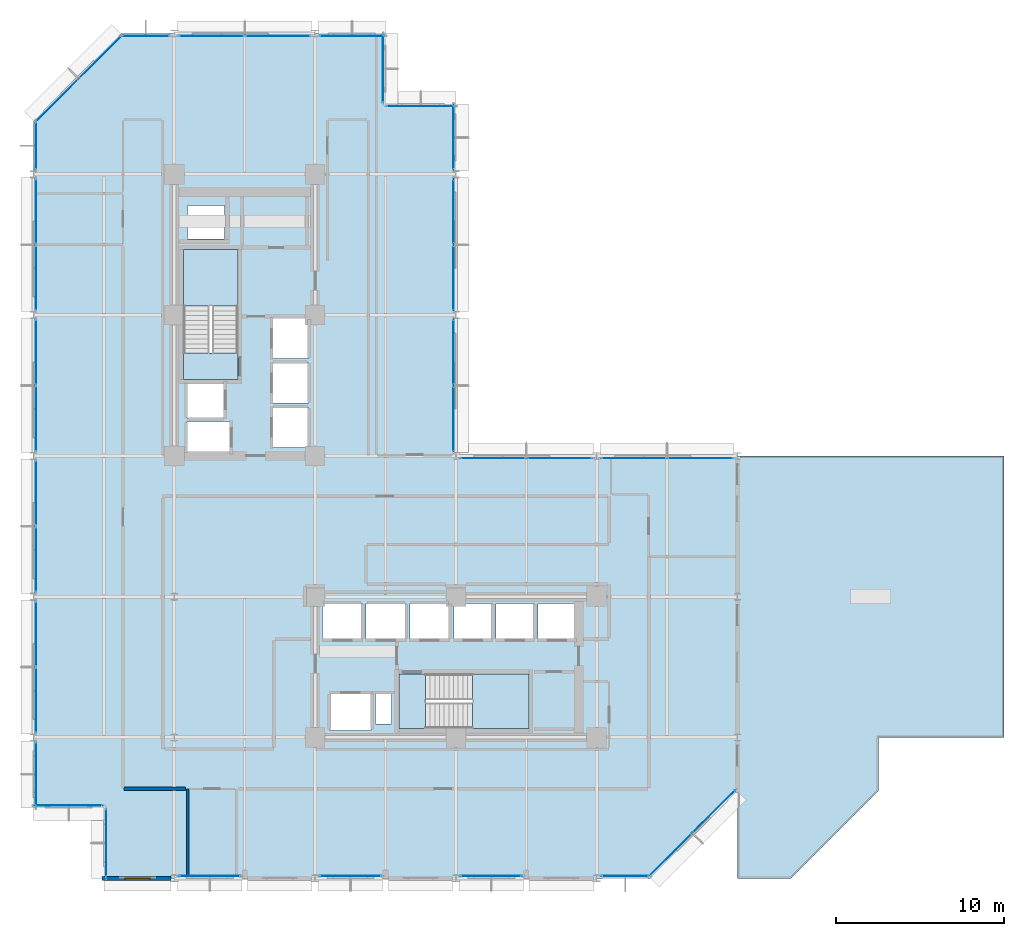
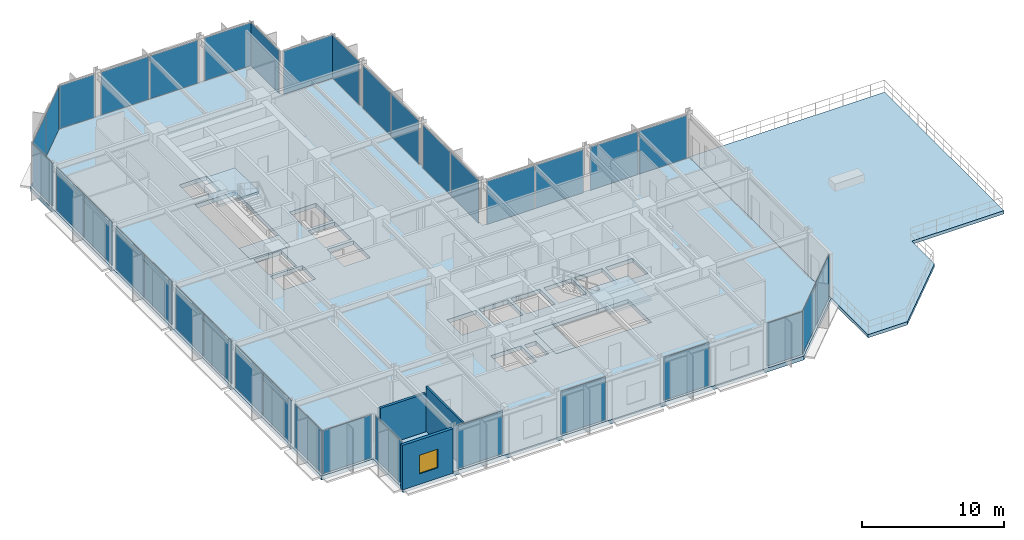
# One storey, part 17 of 25: 35 plates, 6 slabs, 3 walls, 1 window, 1 opening, 26 elements without a shape of their own.
"""IFC4 building model written with IfcOpenShell, lengths in metres."""

from ifc_helpers import new_model, si_unit, direction, frame, frame_2d, origin, origin_2d, place, context, subcontext, project, spatial, polyline, rectangle, outline, extrude, material, layer, layer_set, type_object, element, fill, aggregate, save


model = new_model("IFC4")

# Units and contexts
model_context = context("Model", 3, precision=1e-05, world=origin(), true_north=direction((0.0, 1.0)))
body_context = subcontext(model_context, "Body", "Model", "MODEL_VIEW")
ifc_project = project(units=[si_unit("LENGTHUNIT", "METRE"), si_unit("AREAUNIT", "SQUARE_METRE"), si_unit("VOLUMEUNIT", "CUBIC_METRE"), si_unit("PLANEANGLEUNIT", "RADIAN"), si_unit("MASSUNIT", "GRAM", prefix="KILO")], contexts=[model_context])

# Site, building, storey
site_placement = place(None, origin())
site = spatial("IfcSite", under=ifc_project, at=site_placement, CompositionType="ELEMENT")
building_placement = place(site_placement, origin())
building = spatial("IfcBuilding", under=site, at=building_placement, Name="Nerrivon Quay Data Exchange", CompositionType="ELEMENT")
storey_placement = place(building_placement, frame((0.0, 0.0, 113.10009765625)))
storey = spatial("IfcBuildingStorey", under=building, at=storey_placement, Name="L26", CompositionType="ELEMENT", Elevation=113.10009765625)

# Curtain wall, plates
ifc_material_1 = material(Name="Anodised aluminium 6063-T6", Category="aluminium")
ifc_layer_1 = layer(ifc_material_1, 0.22998046875)
ifc_layer_set_1 = layer_set([ifc_layer_1], Name="Anodised aluminium 6063-T6")
curtain_wall_type = type_object("IfcCurtainWallType", Name="CW-SYS-05", PredefinedType="NOTDEFINED", material=ifc_layer_set_1)
curtain_wall_1_placement = place(storey_placement, origin())
curtain_wall_1 = element("IfcCurtainWall", 1, at=curtain_wall_1_placement, inside=storey, type_object=curtain_wall_type, Name="L26 Unitised Curtain Wall 1", PredefinedType="NOTDEFINED")
ifc_material_2 = material(Name="Double-glazed low-E solar control glass", Category="glass")
ifc_layer_2 = layer(ifc_material_2, 0.031982421875)
ifc_layer_set_2 = layer_set([ifc_layer_2], Name="Double-glazed low-E solar control glass")
plate_type = type_object("IfcPlateType", Name="CWP-GLZ-32", PredefinedType="CURTAIN_PANEL", material=ifc_layer_set_2)
plate_1_placement = place(storey_placement, frame((40.587646484375, 3.98583984375, 0.06494140625), z_axis=(0.0, 0.0, 1.0), x_axis=(-0.707106781187, -0.707106781187, 0.0)))
plate_1 = element("IfcPlate", 2, at=plate_1_placement, type_object=plate_type, Name="CW05 panel 1.1", PredefinedType="CURTAIN_PANEL", context=body_context, shape_type="SweptSolid", body=[
    extrude(rectangle(XDim=3.564453125, YDim=0.028076171875, at=origin_2d()), origin(), (0.0, 0.0, 1.0), 3.695068359375),
])
plate_2_placement = place(storey_placement, frame((38.01416015625, 1.412353515625, 0.06494140625), z_axis=(0.0, 0.0, 1.0), x_axis=(-0.707106781187, -0.707106781187, 0.0)))
plate_2 = element("IfcPlate", 3, at=plate_2_placement, type_object=plate_type, Name="CW05 panel 2.1", PredefinedType="CURTAIN_PANEL", context=body_context, shape_type="SweptSolid", body=[
    extrude(rectangle(XDim=3.564453125, YDim=0.028076171875, at=origin_2d()), origin(), (0.0, 0.0, 1.0), 3.695068359375),
])
aggregate(curtain_wall_1, [plate_1, plate_2])

# Curtain wall, plate
curtain_wall_2_placement = place(storey_placement, origin())
curtain_wall_2 = element("IfcCurtainWall", 4, at=curtain_wall_2_placement, inside=storey, type_object=curtain_wall_type, Name="L26 Unitised Curtain Wall 2", PredefinedType="NOTDEFINED")
plate_3_placement = place(storey_placement, frame((35.300048828125, 0.139892578125, 0.06494140625), z_axis=(0.0, 0.0, 1.0), x_axis=(-1.0, 0.0, 0.0)))
plate_3 = element("IfcPlate", 5, at=plate_3_placement, type_object=plate_type, Name="CW05 panel 1.1", PredefinedType="CURTAIN_PANEL", context=body_context, shape_type="SweptSolid", body=[
    extrude(rectangle(XDim=2.85009765625, YDim=0.028076171875, at=origin_2d()), origin(), (0.0, 0.0, 1.0), 3.695068359375),
])
aggregate(curtain_wall_2, [plate_3])

curtain_wall_3_placement = place(storey_placement, origin())
curtain_wall_3 = element("IfcCurtainWall", 6, at=curtain_wall_3_placement, inside=storey, type_object=curtain_wall_type, Name="L26 Unitised Curtain Wall 4", PredefinedType="NOTDEFINED")
plate_4_placement = place(storey_placement, frame((27.3125, 0.139892578125, 0.06494140625), z_axis=(0.0, 0.0, 1.0), x_axis=(-1.0, 0.0, 0.0)))
plate_4 = element("IfcPlate", 7, at=plate_4_placement, type_object=plate_type, Name="CW05 panel 1.1", PredefinedType="CURTAIN_PANEL", context=body_context, shape_type="SweptSolid", body=[
    extrude(rectangle(XDim=3.675048828125, YDim=0.028076171875, at=origin_2d()), origin(), (0.0, 0.0, 1.0), 3.695068359375),
])
aggregate(curtain_wall_3, [plate_4])

curtain_wall_4_placement = place(storey_placement, origin())
curtain_wall_4 = element("IfcCurtainWall", 8, at=curtain_wall_4_placement, inside=storey, type_object=curtain_wall_type, Name="L26 Unitised Curtain Wall 6", PredefinedType="NOTDEFINED")
plate_5_placement = place(storey_placement, frame((18.91259765625, 0.139892578125, 0.06494140625), z_axis=(0.0, 0.0, 1.0), x_axis=(-1.0, 0.0, 0.0)))
plate_5 = element("IfcPlate", 9, at=plate_5_placement, type_object=plate_type, Name="CW05 panel 1.1", PredefinedType="CURTAIN_PANEL", context=body_context, shape_type="SweptSolid", body=[
    extrude(rectangle(XDim=3.675048828125, YDim=0.028076171875, at=origin_2d()), origin(), (0.0, 0.0, 1.0), 3.695068359375),
])
aggregate(curtain_wall_4, [plate_5])

curtain_wall_5_placement = place(storey_placement, origin())
curtain_wall_5 = element("IfcCurtainWall", 10, at=curtain_wall_5_placement, inside=storey, type_object=curtain_wall_type, Name="L26 Unitised Curtain Wall 8", PredefinedType="NOTDEFINED")
plate_6_placement = place(storey_placement, frame((10.512451171875, 0.139892578125, 0.06494140625), z_axis=(0.0, 0.0, 1.0), x_axis=(-1.0, 0.0, 0.0)))
plate_6 = element("IfcPlate", 11, at=plate_6_placement, type_object=plate_type, Name="CW05 panel 1.1", PredefinedType="CURTAIN_PANEL", context=body_context, shape_type="SweptSolid", body=[
    extrude(rectangle(XDim=3.675048828125, YDim=0.028076171875, at=origin_2d()), origin(), (0.0, 0.0, 1.0), 3.695068359375),
])
aggregate(curtain_wall_5, [plate_6])

curtain_wall_6_placement = place(storey_placement, origin())
curtain_wall_6 = element("IfcCurtainWall", 12, at=curtain_wall_6_placement, inside=storey, type_object=curtain_wall_type, Name="L26 Unitised Curtain Wall 10", PredefinedType="NOTDEFINED")
plate_7_placement = place(storey_placement, frame((4.340087890625, 2.10009765625, 0.06494140625), z_axis=(0.0, 0.0, 1.0), x_axis=(0.0, 1.0, 0.0)))
plate_7 = element("IfcPlate", 13, at=plate_7_placement, type_object=plate_type, Name="CW05 panel 1.1", PredefinedType="CURTAIN_PANEL", context=body_context, shape_type="SweptSolid", body=[
    extrude(rectangle(XDim=4.050048828125, YDim=0.028076171875, at=origin_2d()), origin(), (0.0, 0.0, 1.0), 3.695068359375),
])
aggregate(curtain_wall_6, [plate_7])

curtain_wall_7_placement = place(storey_placement, origin())
curtain_wall_7 = element("IfcCurtainWall", 14, at=curtain_wall_7_placement, inside=storey, type_object=curtain_wall_type, Name="L26 Unitised Curtain Wall 11", PredefinedType="NOTDEFINED")
plate_8_placement = place(storey_placement, frame((2.10009765625, 4.340087890625, 0.06494140625), z_axis=(0.0, 0.0, 1.0), x_axis=(-1.0, 0.0, 0.0)))
plate_8 = element("IfcPlate", 15, at=plate_8_placement, type_object=plate_type, Name="CW05 panel 1.1", PredefinedType="CURTAIN_PANEL", context=body_context, shape_type="SweptSolid", body=[
    extrude(rectangle(XDim=4.050048828125, YDim=0.028076171875, at=origin_2d()), origin(), (0.0, 0.0, 1.0), 3.695068359375),
])
aggregate(curtain_wall_7, [plate_8])

curtain_wall_8_placement = place(storey_placement, origin())
curtain_wall_8 = element("IfcCurtainWall", 16, at=curtain_wall_8_placement, inside=storey, type_object=curtain_wall_type, Name="L26 Unitised Curtain Wall 12", PredefinedType="NOTDEFINED")
plate_9_placement = place(storey_placement, frame((0.139892578125, 6.199951171875, 0.06494140625), z_axis=(0.0, 0.0, 1.0), x_axis=(0.0, 1.0, 0.0)))
plate_9 = element("IfcPlate", 17, at=plate_9_placement, type_object=plate_type, Name="CW05 panel 1.1", PredefinedType="CURTAIN_PANEL", context=body_context, shape_type="SweptSolid", body=[
    extrude(rectangle(XDim=3.85009765625, YDim=0.028076171875, at=origin_2d()), origin(), (0.0, 0.0, 1.0), 3.695068359375),
])
aggregate(curtain_wall_8, [plate_9])

# Curtain wall, plates
curtain_wall_9_placement = place(storey_placement, origin())
curtain_wall_9 = element("IfcCurtainWall", 18, at=curtain_wall_9_placement, inside=storey, type_object=curtain_wall_type, Name="L26 Unitised Curtain Wall 13", PredefinedType="NOTDEFINED")
plate_10_placement = place(storey_placement, frame((0.139892578125, 10.61865234375, 0.06494140625), z_axis=(0.0, 0.0, 1.0), x_axis=(0.0, 1.0, 0.0)))
plate_10 = element("IfcPlate", 19, at=plate_10_placement, type_object=plate_type, Name="CW05 panel 1.1", PredefinedType="CURTAIN_PANEL", context=body_context, shape_type="SweptSolid", body=[
    extrude(rectangle(XDim=3.887451171875, YDim=0.028076171875, at=origin_2d()), origin(), (0.0, 0.0, 1.0), 3.695068359375),
])
plate_11_placement = place(storey_placement, frame((0.139892578125, 14.581298828125, 0.06494140625), z_axis=(0.0, 0.0, 1.0), x_axis=(0.0, 1.0, 0.0)))
plate_11 = element("IfcPlate", 20, at=plate_11_placement, type_object=plate_type, Name="CW05 panel 2.1", PredefinedType="CURTAIN_PANEL", context=body_context, shape_type="SweptSolid", body=[
    extrude(rectangle(XDim=3.887451171875, YDim=0.028076171875, at=origin_2d()), origin(), (0.0, 0.0, 1.0), 3.695068359375),
])
aggregate(curtain_wall_9, [plate_10, plate_11])

curtain_wall_10_placement = place(storey_placement, origin())
curtain_wall_10 = element("IfcCurtainWall", 21, at=curtain_wall_10_placement, inside=storey, type_object=curtain_wall_type, Name="L26 Unitised Curtain Wall 14", PredefinedType="NOTDEFINED")
plate_12_placement = place(storey_placement, frame((0.139892578125, 19.018798828125, 0.06494140625), z_axis=(0.0, 0.0, 1.0), x_axis=(0.0, 1.0, 0.0)))
plate_12 = element("IfcPlate", 22, at=plate_12_placement, type_object=plate_type, Name="CW05 panel 1.1", PredefinedType="CURTAIN_PANEL", context=body_context, shape_type="SweptSolid", body=[
    extrude(rectangle(XDim=3.887451171875, YDim=0.028076171875, at=origin_2d()), origin(), (0.0, 0.0, 1.0), 3.695068359375),
])
plate_13_placement = place(storey_placement, frame((0.139892578125, 22.981201171875, 0.06494140625), z_axis=(0.0, 0.0, 1.0), x_axis=(0.0, 1.0, 0.0)))
plate_13 = element("IfcPlate", 23, at=plate_13_placement, type_object=plate_type, Name="CW05 panel 2.1", PredefinedType="CURTAIN_PANEL", context=body_context, shape_type="SweptSolid", body=[
    extrude(rectangle(XDim=3.887451171875, YDim=0.028076171875, at=origin_2d()), origin(), (0.0, 0.0, 1.0), 3.695068359375),
])
aggregate(curtain_wall_10, [plate_12, plate_13])

curtain_wall_11_placement = place(storey_placement, origin())
curtain_wall_11 = element("IfcCurtainWall", 24, at=curtain_wall_11_placement, inside=storey, type_object=curtain_wall_type, Name="L26 Unitised Curtain Wall 15", PredefinedType="NOTDEFINED")
plate_14_placement = place(storey_placement, frame((0.139892578125, 27.418701171875, 0.06494140625), z_axis=(0.0, 0.0, 1.0), x_axis=(0.0, 1.0, 0.0)))
plate_14 = element("IfcPlate", 25, at=plate_14_placement, type_object=plate_type, Name="CW05 panel 1.1", PredefinedType="CURTAIN_PANEL", context=body_context, shape_type="SweptSolid", body=[
    extrude(rectangle(XDim=3.887451171875, YDim=0.028076171875, at=origin_2d()), origin(), (0.0, 0.0, 1.0), 3.695068359375),
])
plate_15_placement = place(storey_placement, frame((0.139892578125, 31.38134765625, 0.06494140625), z_axis=(0.0, 0.0, 1.0), x_axis=(0.0, 1.0, 0.0)))
plate_15 = element("IfcPlate", 26, at=plate_15_placement, type_object=plate_type, Name="CW05 panel 2.1", PredefinedType="CURTAIN_PANEL", context=body_context, shape_type="SweptSolid", body=[
    extrude(rectangle(XDim=3.887451171875, YDim=0.028076171875, at=origin_2d()), origin(), (0.0, 0.0, 1.0), 3.695068359375),
])
aggregate(curtain_wall_11, [plate_14, plate_15])

curtain_wall_12_placement = place(storey_placement, origin())
curtain_wall_12 = element("IfcCurtainWall", 27, at=curtain_wall_12_placement, inside=storey, type_object=curtain_wall_type, Name="L26 Unitised Curtain Wall 16", PredefinedType="NOTDEFINED")
plate_16_placement = place(storey_placement, frame((0.139892578125, 35.81884765625, 0.06494140625), z_axis=(0.0, 0.0, 1.0), x_axis=(0.0, 1.0, 0.0)))
plate_16 = element("IfcPlate", 28, at=plate_16_placement, type_object=plate_type, Name="CW05 panel 1.1", PredefinedType="CURTAIN_PANEL", context=body_context, shape_type="SweptSolid", body=[
    extrude(rectangle(XDim=3.887451171875, YDim=0.028076171875, at=origin_2d()), origin(), (0.0, 0.0, 1.0), 3.695068359375),
])
plate_17_placement = place(storey_placement, frame((0.139892578125, 39.78125, 0.06494140625), z_axis=(0.0, 0.0, 1.0), x_axis=(0.0, 1.0, 0.0)))
plate_17 = element("IfcPlate", 29, at=plate_17_placement, type_object=plate_type, Name="CW05 panel 2.1", PredefinedType="CURTAIN_PANEL", context=body_context, shape_type="SweptSolid", body=[
    extrude(rectangle(XDim=3.887451171875, YDim=0.028076171875, at=origin_2d()), origin(), (0.0, 0.0, 1.0), 3.695068359375),
])
aggregate(curtain_wall_12, [plate_16, plate_17])

# Curtain wall, plate
curtain_wall_13_placement = place(storey_placement, origin())
curtain_wall_13 = element("IfcCurtainWall", 30, at=curtain_wall_13_placement, inside=storey, type_object=curtain_wall_type, Name="L26 Unitised Curtain Wall 17", PredefinedType="NOTDEFINED")
plate_18_placement = place(storey_placement, frame((0.139892578125, 43.699951171875, 0.06494140625), z_axis=(0.0, 0.0, 1.0), x_axis=(0.0, 1.0, 0.0)))
plate_18 = element("IfcPlate", 31, at=plate_18_placement, type_object=plate_type, Name="CW05 panel 1.1", PredefinedType="CURTAIN_PANEL", context=body_context, shape_type="SweptSolid", body=[
    extrude(rectangle(XDim=2.85009765625, YDim=0.028076171875, at=origin_2d()), origin(), (0.0, 0.0, 1.0), 3.695068359375),
])
aggregate(curtain_wall_13, [plate_18])

# Curtain wall, plates
curtain_wall_14_placement = place(storey_placement, origin())
curtain_wall_14 = element("IfcCurtainWall", 32, at=curtain_wall_14_placement, inside=storey, type_object=curtain_wall_type, Name="L26 Unitised Curtain Wall 18", PredefinedType="NOTDEFINED")
plate_19_placement = place(storey_placement, frame((1.412353515625, 46.414306640625, 0.06494140625), z_axis=(0.0, 0.0, 1.0), x_axis=(0.707106781187, 0.707106781187, 0.0)))
plate_19 = element("IfcPlate", 33, at=plate_19_placement, type_object=plate_type, Name="CW05 panel 1.1", PredefinedType="CURTAIN_PANEL", context=body_context, shape_type="SweptSolid", body=[
    extrude(rectangle(XDim=3.564453125, YDim=0.028076171875, at=origin_2d()), origin(), (0.0, 0.0, 1.0), 3.695068359375),
])
plate_20_placement = place(storey_placement, frame((3.98583984375, 48.98779296875, 0.06494140625), z_axis=(0.0, 0.0, 1.0), x_axis=(0.707106781187, 0.707106781187, 0.0)))
plate_20 = element("IfcPlate", 34, at=plate_20_placement, type_object=plate_type, Name="CW05 panel 2.1", PredefinedType="CURTAIN_PANEL", context=body_context, shape_type="SweptSolid", body=[
    extrude(rectangle(XDim=3.564453125, YDim=0.028076171875, at=origin_2d()), origin(), (0.0, 0.0, 1.0), 3.695068359375),
])
aggregate(curtain_wall_14, [plate_19, plate_20])

# Curtain wall, plate
curtain_wall_15_placement = place(storey_placement, origin())
curtain_wall_15 = element("IfcCurtainWall", 35, at=curtain_wall_15_placement, inside=storey, type_object=curtain_wall_type, Name="L26 Unitised Curtain Wall 19", PredefinedType="NOTDEFINED")
plate_21_placement = place(storey_placement, frame((6.699951171875, 50.260009765625, 0.06494140625), z_axis=(0.0, 0.0, 1.0), x_axis=(1.0, 0.0, 0.0)))
plate_21 = element("IfcPlate", 36, at=plate_21_placement, type_object=plate_type, Name="CW05 panel 1.1", PredefinedType="CURTAIN_PANEL", context=body_context, shape_type="SweptSolid", body=[
    extrude(rectangle(XDim=2.85009765625, YDim=0.028076171875, at=origin_2d()), origin(), (0.0, 0.0, 1.0), 3.695068359375),
])
aggregate(curtain_wall_15, [plate_21])

# Curtain wall, plates
curtain_wall_16_placement = place(storey_placement, origin())
curtain_wall_16 = element("IfcCurtainWall", 37, at=curtain_wall_16_placement, inside=storey, type_object=curtain_wall_type, Name="L26 Unitised Curtain Wall 20", PredefinedType="NOTDEFINED")
plate_22_placement = place(storey_placement, frame((10.61865234375, 50.260009765625, 0.06494140625), z_axis=(0.0, 0.0, 1.0), x_axis=(1.0, 0.0, 0.0)))
plate_22 = element("IfcPlate", 38, at=plate_22_placement, type_object=plate_type, Name="CW05 panel 1.1", PredefinedType="CURTAIN_PANEL", context=body_context, shape_type="SweptSolid", body=[
    extrude(rectangle(XDim=3.887451171875, YDim=0.028076171875, at=origin_2d()), origin(), (0.0, 0.0, 1.0), 3.695068359375),
])
plate_23_placement = place(storey_placement, frame((14.581298828125, 50.260009765625, 0.06494140625), z_axis=(0.0, 0.0, 1.0), x_axis=(1.0, 0.0, 0.0)))
plate_23 = element("IfcPlate", 39, at=plate_23_placement, type_object=plate_type, Name="CW05 panel 2.1", PredefinedType="CURTAIN_PANEL", context=body_context, shape_type="SweptSolid", body=[
    extrude(rectangle(XDim=3.887451171875, YDim=0.028076171875, at=origin_2d()), origin(), (0.0, 0.0, 1.0), 3.695068359375),
])
aggregate(curtain_wall_16, [plate_22, plate_23])

# Curtain wall, plate
curtain_wall_17_placement = place(storey_placement, origin())
curtain_wall_17 = element("IfcCurtainWall", 40, at=curtain_wall_17_placement, inside=storey, type_object=curtain_wall_type, Name="L26 Unitised Curtain Wall 21", PredefinedType="NOTDEFINED")
plate_24_placement = place(storey_placement, frame((19.0, 50.260009765625, 0.06494140625), z_axis=(0.0, 0.0, 1.0), x_axis=(1.0, 0.0, 0.0)))
plate_24 = element("IfcPlate", 41, at=plate_24_placement, type_object=plate_type, Name="CW05 panel 1.1", PredefinedType="CURTAIN_PANEL", context=body_context, shape_type="SweptSolid", body=[
    extrude(rectangle(XDim=3.85009765625, YDim=0.028076171875, at=origin_2d()), origin(), (0.0, 0.0, 1.0), 3.695068359375),
])
aggregate(curtain_wall_17, [plate_24])

curtain_wall_18_placement = place(storey_placement, origin())
curtain_wall_18 = element("IfcCurtainWall", 42, at=curtain_wall_18_placement, inside=storey, type_object=curtain_wall_type, Name="L26 Unitised Curtain Wall 22", PredefinedType="NOTDEFINED")
plate_25_placement = place(storey_placement, frame((20.860107421875, 48.300048828125, 0.06494140625), z_axis=(0.0, 0.0, 1.0), x_axis=(0.0, -1.0, 0.0)))
plate_25 = element("IfcPlate", 43, at=plate_25_placement, type_object=plate_type, Name="CW05 panel 1.1", PredefinedType="CURTAIN_PANEL", context=body_context, shape_type="SweptSolid", body=[
    extrude(rectangle(XDim=4.050048828125, YDim=0.028076171875, at=origin_2d()), origin(), (0.0, 0.0, 1.0), 3.695068359375),
])
aggregate(curtain_wall_18, [plate_25])

curtain_wall_19_placement = place(storey_placement, origin())
curtain_wall_19 = element("IfcCurtainWall", 44, at=curtain_wall_19_placement, inside=storey, type_object=curtain_wall_type, Name="L26 Unitised Curtain Wall 23", PredefinedType="NOTDEFINED")
plate_26_placement = place(storey_placement, frame((23.10009765625, 46.06005859375, 0.06494140625), z_axis=(0.0, 0.0, 1.0), x_axis=(1.0, 0.0, 0.0)))
plate_26 = element("IfcPlate", 45, at=plate_26_placement, type_object=plate_type, Name="CW05 panel 1.1", PredefinedType="CURTAIN_PANEL", context=body_context, shape_type="SweptSolid", body=[
    extrude(rectangle(XDim=4.050048828125, YDim=0.028076171875, at=origin_2d()), origin(), (0.0, 0.0, 1.0), 3.695068359375),
])
aggregate(curtain_wall_19, [plate_26])

curtain_wall_20_placement = place(storey_placement, origin())
curtain_wall_20 = element("IfcCurtainWall", 46, at=curtain_wall_20_placement, inside=storey, type_object=curtain_wall_type, Name="L26 Unitised Curtain Wall 24", PredefinedType="NOTDEFINED")
plate_27_placement = place(storey_placement, frame((25.06005859375, 44.199951171875, 0.06494140625), z_axis=(0.0, 0.0, 1.0), x_axis=(0.0, -1.0, 0.0)))
plate_27 = element("IfcPlate", 47, at=plate_27_placement, type_object=plate_type, Name="CW05 panel 1.1", PredefinedType="CURTAIN_PANEL", context=body_context, shape_type="SweptSolid", body=[
    extrude(rectangle(XDim=3.85009765625, YDim=0.028076171875, at=origin_2d()), origin(), (0.0, 0.0, 1.0), 3.695068359375),
])
aggregate(curtain_wall_20, [plate_27])

# Curtain wall, plates
curtain_wall_21_placement = place(storey_placement, origin())
curtain_wall_21 = element("IfcCurtainWall", 48, at=curtain_wall_21_placement, inside=storey, type_object=curtain_wall_type, Name="L26 Unitised Curtain Wall 25", PredefinedType="NOTDEFINED")
plate_28_placement = place(storey_placement, frame((25.06005859375, 39.78125, 0.06494140625), z_axis=(0.0, 0.0, 1.0), x_axis=(0.0, -1.0, 0.0)))
plate_28 = element("IfcPlate", 49, at=plate_28_placement, type_object=plate_type, Name="CW05 panel 1.1", PredefinedType="CURTAIN_PANEL", context=body_context, shape_type="SweptSolid", body=[
    extrude(rectangle(XDim=3.887451171875, YDim=0.028076171875, at=origin_2d()), origin(), (0.0, 0.0, 1.0), 3.695068359375),
])
plate_29_placement = place(storey_placement, frame((25.06005859375, 35.81884765625, 0.06494140625), z_axis=(0.0, 0.0, 1.0), x_axis=(0.0, -1.0, 0.0)))
plate_29 = element("IfcPlate", 50, at=plate_29_placement, type_object=plate_type, Name="CW05 panel 2.1", PredefinedType="CURTAIN_PANEL", context=body_context, shape_type="SweptSolid", body=[
    extrude(rectangle(XDim=3.887451171875, YDim=0.028076171875, at=origin_2d()), origin(), (0.0, 0.0, 1.0), 3.695068359375),
])
aggregate(curtain_wall_21, [plate_28, plate_29])

curtain_wall_22_placement = place(storey_placement, origin())
curtain_wall_22 = element("IfcCurtainWall", 51, at=curtain_wall_22_placement, inside=storey, type_object=curtain_wall_type, Name="L26 Unitised Curtain Wall 26", PredefinedType="NOTDEFINED")
plate_30_placement = place(storey_placement, frame((25.06005859375, 31.38134765625, 0.06494140625), z_axis=(0.0, 0.0, 1.0), x_axis=(0.0, -1.0, 0.0)))
plate_30 = element("IfcPlate", 52, at=plate_30_placement, type_object=plate_type, Name="CW05 panel 1.1", PredefinedType="CURTAIN_PANEL", context=body_context, shape_type="SweptSolid", body=[
    extrude(rectangle(XDim=3.887451171875, YDim=0.028076171875, at=origin_2d()), origin(), (0.0, 0.0, 1.0), 3.695068359375),
])
plate_31_placement = place(storey_placement, frame((25.06005859375, 27.418701171875, 0.06494140625), z_axis=(0.0, 0.0, 1.0), x_axis=(0.0, -1.0, 0.0)))
plate_31 = element("IfcPlate", 53, at=plate_31_placement, type_object=plate_type, Name="CW05 panel 2.1", PredefinedType="CURTAIN_PANEL", context=body_context, shape_type="SweptSolid", body=[
    extrude(rectangle(XDim=3.887451171875, YDim=0.028076171875, at=origin_2d()), origin(), (0.0, 0.0, 1.0), 3.695068359375),
])
aggregate(curtain_wall_22, [plate_30, plate_31])

curtain_wall_23_placement = place(storey_placement, origin())
curtain_wall_23 = element("IfcCurtainWall", 54, at=curtain_wall_23_placement, inside=storey, type_object=curtain_wall_type, Name="L26 Unitised Curtain Wall 27", PredefinedType="NOTDEFINED")
plate_32_placement = place(storey_placement, frame((27.418701171875, 25.06005859375, 0.06494140625), z_axis=(0.0, 0.0, 1.0), x_axis=(1.0, 0.0, 0.0)))
plate_32 = element("IfcPlate", 55, at=plate_32_placement, type_object=plate_type, Name="CW05 panel 1.1", PredefinedType="CURTAIN_PANEL", context=body_context, shape_type="SweptSolid", body=[
    extrude(rectangle(XDim=3.887451171875, YDim=0.028076171875, at=origin_2d()), origin(), (0.0, 0.0, 1.0), 3.695068359375),
])
plate_33_placement = place(storey_placement, frame((31.38134765625, 25.06005859375, 0.06494140625), z_axis=(0.0, 0.0, 1.0), x_axis=(1.0, 0.0, 0.0)))
plate_33 = element("IfcPlate", 56, at=plate_33_placement, type_object=plate_type, Name="CW05 panel 2.1", PredefinedType="CURTAIN_PANEL", context=body_context, shape_type="SweptSolid", body=[
    extrude(rectangle(XDim=3.887451171875, YDim=0.028076171875, at=origin_2d()), origin(), (0.0, 0.0, 1.0), 3.695068359375),
])
aggregate(curtain_wall_23, [plate_32, plate_33])

curtain_wall_24_placement = place(storey_placement, origin())
curtain_wall_24 = element("IfcCurtainWall", 57, at=curtain_wall_24_placement, inside=storey, type_object=curtain_wall_type, Name="L26 Unitised Curtain Wall 28", PredefinedType="NOTDEFINED")
plate_34_placement = place(storey_placement, frame((35.81884765625, 25.06005859375, 0.06494140625), z_axis=(0.0, 0.0, 1.0), x_axis=(1.0, 0.0, 0.0)))
plate_34 = element("IfcPlate", 58, at=plate_34_placement, type_object=plate_type, Name="CW05 panel 1.1", PredefinedType="CURTAIN_PANEL", context=body_context, shape_type="SweptSolid", body=[
    extrude(rectangle(XDim=3.887451171875, YDim=0.028076171875, at=origin_2d()), origin(), (0.0, 0.0, 1.0), 3.695068359375),
])
plate_35_placement = place(storey_placement, frame((39.78125, 25.06005859375, 0.06494140625), z_axis=(0.0, 0.0, 1.0), x_axis=(1.0, 0.0, 0.0)))
plate_35 = element("IfcPlate", 59, at=plate_35_placement, type_object=plate_type, Name="CW05 panel 2.1", PredefinedType="CURTAIN_PANEL", context=body_context, shape_type="SweptSolid", body=[
    extrude(rectangle(XDim=3.887451171875, YDim=0.028076171875, at=origin_2d()), origin(), (0.0, 0.0, 1.0), 3.695068359375),
])
aggregate(curtain_wall_24, [plate_34, plate_35])

# Stair, slab
ifc_material_3 = material(Name="Concrete N50 (50 MPa)", Category="concrete")
stair_type = type_object("IfcStairType", Name="STAIR-DOG-41", PredefinedType="HALF_TURN_STAIR", material=ifc_material_3)
stair_1_placement = place(storey_placement, origin())
stair_1 = element("IfcStair", 60, at=stair_1_placement, inside=storey, type_object=stair_type, Name="L26 West Core Fire Stair ST01", PredefinedType="HALF_TURN_STAIR")
ifc_layer_3 = layer(ifc_material_3, 0.199951171875)
ifc_layer_set_3 = layer_set([ifc_layer_3], Name="Concrete N50 (50 MPa)")
slab_type_1 = type_object("IfcSlabType", Name="SLB-LAND-200", PredefinedType="LANDING", material=ifc_layer_set_3)
slab_1_placement = place(storey_placement, frame((0.0, 0.0, 1.849853515625)))
slab_1 = element("IfcSlab", 61, at=slab_1_placement, type_object=slab_type_1, Name="ST01 landing 1", PredefinedType="LANDING", context=body_context, shape_type="SweptSolid", body=[
    extrude(outline(polyline([(12.199951171875, 34.1298828125), (12.199951171875, 37.5), (8.949951171875, 37.5), (8.949951171875, 34.1298828125), (12.199951171875, 34.1298828125)])), origin(), (0.0, 0.0, 1.0), 0.199951171875),
])
aggregate(stair_1, [slab_1])

# Slab
slab_2_placement = place(storey_placement, frame((0.0, 0.0, -0.2001953125)))
element("IfcSlab", 62, at=slab_2_placement, inside=storey, type_object=slab_type_1, Name="L26 ST01 floor landing", PredefinedType="LANDING", context=body_context, shape_type="SweptSolid", body=[
    extrude(outline(polyline([(12.199951171875, 29.75), (12.199951171875, 31.330078125), (8.949951171875, 31.330078125), (8.949951171875, 29.75), (12.199951171875, 29.75)])), origin(), (0.0, 0.0, 1.0), 0.2001953125),
])

# Stair, slab
stair_2_placement = place(storey_placement, origin())
stair_2 = element("IfcStair", 63, at=stair_2_placement, inside=storey, type_object=stair_type, Name="L26 East Core Fire Stair ST02", PredefinedType="HALF_TURN_STAIR")
slab_3_placement = place(storey_placement, frame((0.0, 0.0, 1.849853515625)))
slab_3 = element("IfcSlab", 64, at=slab_3_placement, type_object=slab_type_1, Name="ST02 landing 1", PredefinedType="LANDING", context=body_context, shape_type="SweptSolid", body=[
    extrude(outline(polyline([(26.179931640625, 8.949951171875), (29.550048828125, 8.949951171875), (29.550048828125, 12.199951171875), (26.179931640625, 12.199951171875), (26.179931640625, 8.949951171875)])), origin(), (0.0, 0.0, 1.0), 0.199951171875),
])
aggregate(stair_2, [slab_3])

# Slabs
slab_4_placement = place(storey_placement, frame((0.0, 0.0, -0.2001953125)))
element("IfcSlab", 65, at=slab_4_placement, inside=storey, type_object=slab_type_1, Name="L26 ST02 floor landing", PredefinedType="LANDING", context=body_context, shape_type="SweptSolid", body=[
    extrude(outline(polyline([(21.800048828125, 8.949951171875), (23.3798828125, 8.949951171875), (23.3798828125, 12.199951171875), (21.800048828125, 12.199951171875), (21.800048828125, 8.949951171875)])), origin(), (0.0, 0.0, 1.0), 0.2001953125),
])
ifc_layer_4 = layer(ifc_material_3, 0.280029296875)
ifc_layer_set_4 = layer_set([ifc_layer_4], Name="Concrete N50 (50 MPa)")
slab_type_2 = type_object("IfcSlabType", Name="SLB-TERR-280", PredefinedType="FLOOR", material=ifc_layer_set_4)
slab_5_placement = place(storey_placement, frame((0.0, 0.0, -0.280029296875)))
element("IfcSlab", 66, at=slab_5_placement, inside=storey, type_object=slab_type_2, Name="L26 East Setback and Hooked Block Sky-Garden Terrace", PredefinedType="FLOOR", context=body_context, shape_type="SweptSolid", body=[
    extrude(outline(polyline([(57.89990234375, 25.199951171875), (42.0, 25.199951171875), (42.0, 0.0), (45.199951171875, 0.0), (50.39990234375, 5.199951171875), (50.39990234375, 8.39990234375), (57.89990234375, 8.39990234375), (57.89990234375, 25.199951171875)])), origin(), (0.0, 0.0, 1.0), 0.280029296875),
])
ifc_material_4 = material(Name="Concrete S65 (65 MPa)", Category="concrete")
ifc_layer_5 = layer(ifc_material_4, 0.35009765625)
ifc_layer_set_5 = layer_set([ifc_layer_5], Name="Concrete S65 (65 MPa)")
slab_type_3 = type_object("IfcSlabType", Name="SLB-TRANS-350", PredefinedType="FLOOR", material=ifc_layer_set_5)
slab_6_placement = place(storey_placement, frame((0.0, 0.0, -0.35009765625)))
element("IfcSlab", 67, at=slab_6_placement, inside=storey, type_object=slab_type_3, Name="L26 Primary Structural Slab", PredefinedType="FLOOR", context=body_context, shape_type="SweptSolid", body=[
    extrude(outline(polyline([(42.0, 25.199951171875), (25.199951171875, 25.199951171875), (25.199951171875, 46.199951171875), (21.0, 46.199951171875), (21.0, 50.39990234375), (5.199951171875, 50.39990234375), (0.0, 45.199951171875), (0.0, 4.199951171875), (4.199951171875, 4.199951171875), (4.199951171875, 0.0), (36.800048828125, 0.0), (42.0, 5.199951171875), (42.0, 25.199951171875)]), holes=[polyline([(8.949951171875, 29.75), (8.949951171875, 37.5), (12.199951171875, 37.5), (12.199951171875, 29.75), (8.949951171875, 29.75)]), polyline([(21.800048828125, 12.199951171875), (29.550048828125, 12.199951171875), (29.550048828125, 8.949951171875), (21.800048828125, 8.949951171875), (21.800048828125, 12.199951171875)]), polyline([(30.10009765625, 16.39990234375), (32.35009765625, 16.39990234375), (32.35009765625, 14.25), (30.10009765625, 14.25), (30.10009765625, 16.39990234375)]), polyline([(27.60009765625, 16.39990234375), (29.85009765625, 16.39990234375), (29.85009765625, 14.25), (27.60009765625, 14.25), (27.60009765625, 16.39990234375)]), polyline([(25.10009765625, 16.39990234375), (27.35009765625, 16.39990234375), (27.35009765625, 14.25), (25.10009765625, 14.25), (25.10009765625, 16.39990234375)]), polyline([(22.449951171875, 16.39990234375), (24.800048828125, 16.39990234375), (24.800048828125, 14.25), (22.449951171875, 14.25), (22.449951171875, 16.39990234375)]), polyline([(19.85009765625, 16.39990234375), (22.199951171875, 16.39990234375), (22.199951171875, 14.25), (19.85009765625, 14.25), (19.85009765625, 16.39990234375)]), polyline([(20.39990234375, 11.0), (21.35009765625, 11.0), (21.35009765625, 9.199951171875), (20.39990234375, 9.199951171875), (20.39990234375, 11.0)]), polyline([(17.699951171875, 8.830078125), (17.699951171875, 11.030029296875), (20.14990234375, 11.030029296875), (20.14990234375, 8.830078125), (17.699951171875, 8.830078125)]), polyline([(17.25, 14.25), (17.25, 16.39990234375), (19.60009765625, 16.39990234375), (19.60009765625, 14.25), (17.25, 14.25)]), polyline([(14.25, 28.10009765625), (16.39990234375, 28.10009765625), (16.39990234375, 25.699951171875), (14.25, 25.699951171875), (14.25, 28.10009765625)]), polyline([(14.25, 30.75), (16.39990234375, 30.75), (16.39990234375, 28.35009765625), (14.25, 28.35009765625), (14.25, 30.75)]), polyline([(14.25, 33.39990234375), (16.39990234375, 33.39990234375), (16.39990234375, 31.0), (14.25, 31.0), (14.25, 33.39990234375)]), polyline([(9.14990234375, 27.25), (11.75, 27.25), (11.75, 25.35009765625), (9.14990234375, 25.35009765625), (9.14990234375, 27.25)]), polyline([(9.14990234375, 29.60009765625), (11.39990234375, 29.60009765625), (11.39990234375, 27.449951171875), (9.14990234375, 27.449951171875), (9.14990234375, 29.60009765625)]), polyline([(9.199951171875, 40.14990234375), (11.39990234375, 40.14990234375), (11.39990234375, 38.14990234375), (9.199951171875, 38.14990234375), (9.199951171875, 40.14990234375)])]), origin(), (0.0, 0.0, 1.0), 0.35009765625),
])

# Wall, opening, window
ifc_material_5 = material(Name="Architectural terracotta precast concrete N50 (50 MPa)", Category="masonry")
ifc_layer_6 = layer(ifc_material_5, 0.239990234375)
ifc_layer_set_6 = layer_set([ifc_layer_6], Name="Architectural terracotta precast concrete N50 (50 MPa)")
wall_type_1 = type_object("IfcWallType", Name="EW-PREC-240", PredefinedType="STANDARD", material=ifc_layer_set_6)
wall_1_placement = place(storey_placement, frame((8.199951171875, 0.0, 0.0), z_axis=(0.0, 0.0, 1.0), x_axis=(-1.0, 0.0, 0.0)))
wall_1 = element("IfcWall", 68, at=wall_1_placement, inside=storey, type_object=wall_type_1, Name="L26 Podium Precast Spandrel Wall 9", PredefinedType="STANDARD", context=body_context, shape_type="SweptSolid", body=[
    extrude(rectangle(XDim=4.119873046875, YDim=0.239990234375, at=frame_2d((2.06005859375, 0.0))), origin(), (0.0, 0.0, 1.0), 3.824951171875),
])
opening_placement = place(wall_1_placement, frame((1.2451171875, 0.0, 0.89990234375)))
opening = element("IfcOpeningElement", 69, at=opening_placement, cuts=wall_1, Name="Opening WN4", PredefinedType="OPENING", context=body_context, shape_type="SweptSolid", body=[
    extrude(rectangle(XDim=1.5, YDim=1.60009765625, at=frame_2d((0.75, 0.800048828125))), frame((0.0, 0.1298828125, 0.0), z_axis=(0.0, -1.0, 0.0), x_axis=(1.0, 0.0, 0.0)), (0.0, 0.0, 1.0), 0.260009765625),
])
window_type = type_object("IfcWindowType", Name="WIN-W4-1500x1600", PartitioningType="SINGLE_PANEL", PredefinedType="WINDOW", material=ifc_material_2)
window_placement = place(opening_placement, origin())
window = element("IfcWindow", 70, at=window_placement, inside=storey, type_object=window_type, Name="L26 Solar Facade Window 9", OverallHeight=1.60009765625, OverallWidth=1.5, PartitioningType="SINGLE_PANEL", PredefinedType="WINDOW", context=body_context, shape_type="SweptSolid", body=[
    extrude(rectangle(XDim=1.5, YDim=1.60009765625, at=frame_2d((0.75, 0.800048828125))), frame((0.0, 0.030029296875, 0.0), z_axis=(0.0, -1.0, 0.0), x_axis=(1.0, 0.0, 0.0)), (0.0, 0.0, 1.0), 0.06005859375),
])
fill(opening, window)

# Walls
ifc_material_6 = material(Name="Gypsum plasterboard on cold-formed framing", Category="gypsum")
ifc_layer_7 = layer(ifc_material_6, 0.199951171875)
ifc_layer_set_7 = layer_set([ifc_layer_7], Name="Gypsum plasterboard on cold-formed framing")
wall_type_2 = type_object("IfcWallType", Name="WALL-FW-200", PredefinedType="PARTITIONING", material=ifc_layer_set_7)
wall_2_placement = place(storey_placement, frame((9.080078125, 5.340087890625, 0.0), z_axis=(0.0, 0.0, 1.0), x_axis=(-1.0, 0.0, 0.0)))
element("IfcWall", 71, at=wall_2_placement, inside=storey, type_object=wall_type_2, Name="L26 Partition Sky Lobby Concierge Foyer", PredefinedType="PARTITIONING", context=body_context, shape_type="SweptSolid", body=[
    extrude(rectangle(XDim=3.68017578125, YDim=0.199951171875, at=frame_2d((1.840087890625, 0.0))), origin(), (0.0, 0.0, 1.0), 3.296875),
])
ifc_layer_8 = layer(ifc_material_6, 0.135009765625)
ifc_layer_set_8 = layer_set([ifc_layer_8], Name="Gypsum plasterboard on cold-formed framing")
wall_type_3 = type_object("IfcWallType", Name="WALL-PT-135", PredefinedType="PARTITIONING", material=ifc_layer_set_8)
wall_3_placement = place(storey_placement, frame((9.199951171875, 5.340087890625, 0.0), z_axis=(0.0, 0.0, 1.0), x_axis=(0.0, -1.0, 0.0)))
element("IfcWall", 72, at=wall_3_placement, inside=storey, type_object=wall_type_3, Name="L26 Partition Public Washrooms", PredefinedType="PARTITIONING", context=body_context, shape_type="SweptSolid", body=[
    extrude(rectangle(XDim=5.171142578125, YDim=0.135009765625, at=frame_2d((2.58544921875, 0.0))), origin(), (0.0, 0.0, 1.0), 3.824951171875),
])

save(model, "model.ifc")
